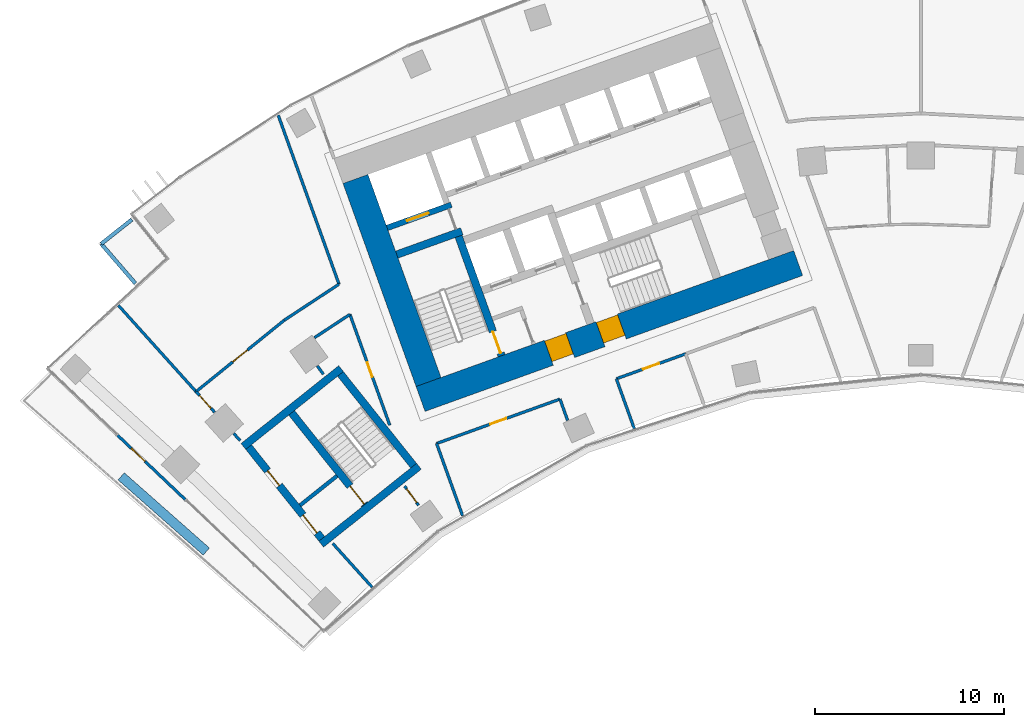
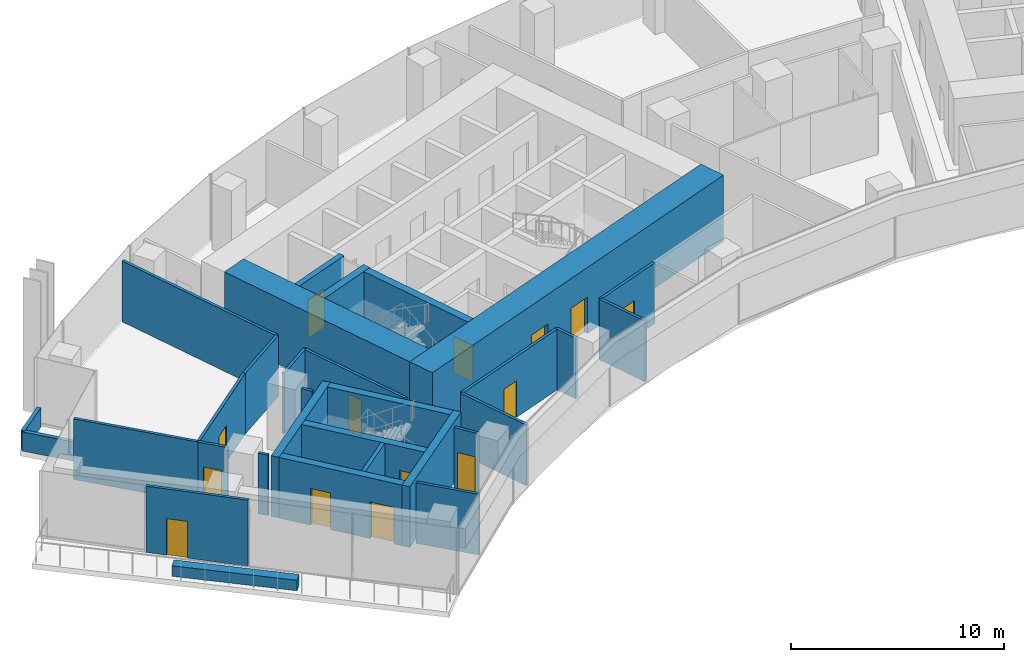
# One storey, part 13 of 20: 31 walls, 14 doors, 14 openings.
"""IFC4 building model written with IfcOpenShell, lengths in metres."""

import ifcopenshell
import ifcopenshell.guid

model = None  # the IFC model being written
_history = None  # IfcOwnerHistory: only IFC2X3 demands one
_inside = {}  # id of a spatial element -> (the spatial element, [elements in it])
_under = {}  # id of a project, library or spatial element -> (it, [spatial elements below it])
_declared = {}  # id of a project -> (the project, [libraries it declares])
_typed = {}  # id of a type object -> (the type object, [elements of that type])
_made_of = {}  # id of a material, layer set ... -> (it, [elements and type objects made of it])


def new_model(schema):
    """Start an empty IFC model of exactly this schema.

    Asked for "IFC4X3", IfcOpenShell would pick the latest addendum, in which some entities
    have other attributes; the version numbers below select the first issue.
    IFC2X3 requires an IfcOwnerHistory on every rooted entity: one is made here for all.
    """
    global model, _history
    if schema == "IFC4X3":
        model = ifcopenshell.file(schema_version=(4, 3, 0, 0))
    else:
        model = ifcopenshell.file(schema=schema)
    _inside.clear()
    _under.clear()
    _declared.clear()
    _typed.clear()
    _made_of.clear()
    _history = None
    if model.schema == "IFC2X3":
        org = make("IfcOrganization", Name="unknown")
        user = make(
            "IfcPersonAndOrganization",
            ThePerson=make("IfcPerson", FamilyName="unknown"),
            TheOrganization=org,
        )
        app = make(
            "IfcApplication",
            ApplicationDeveloper=org,
            Version="unknown",
            ApplicationFullName="unknown",
            ApplicationIdentifier="unknown",
        )
        _history = make(
            "IfcOwnerHistory",
            OwningUser=user,
            OwningApplication=app,
            ChangeAction="ADDED",
            CreationDate=0,
        )
    return model


def make(cls, **values):
    """One entity of the class cls with the attributes given. An attribute that is None is left unset."""
    return model.create_entity(
        cls, **{name: value for name, value in values.items() if value is not None}
    )


def rooted(cls, **values):
    """An entity with a GlobalId (a new one), such as an element, a storey or a relation."""
    return make(cls, GlobalId=ifcopenshell.guid.new(), OwnerHistory=_history, **values)


def si_unit(unit_type, name, prefix=None):
    """IfcSIUnit, for example si_unit("LENGTHUNIT", "METRE", prefix="MILLI")."""
    return make("IfcSIUnit", UnitType=unit_type, Prefix=prefix, Name=name)


def assignment(units):
    """IfcUnitAssignment: the units of a project."""
    return None if units is None else make("IfcUnitAssignment", Units=units)


def point(xyz):
    """IfcCartesianPoint."""
    return None if xyz is None else make("IfcCartesianPoint", Coordinates=xyz)


def direction(xyz):
    """IfcDirection."""
    return None if xyz is None else make("IfcDirection", DirectionRatios=xyz)


def frame(location, z_axis=None, x_axis=None):
    """IfcAxis2Placement3D, a coordinate frame: its origin and axes. An axis left out is left unset."""
    return make(
        "IfcAxis2Placement3D",
        Location=point(location),
        Axis=direction(z_axis),
        RefDirection=direction(x_axis),
    )


def frame_2d(location, x_axis=None):
    """IfcAxis2Placement2D, a coordinate frame in the plane: its origin and x axis."""
    return make(
        "IfcAxis2Placement2D", Location=point(location), RefDirection=direction(x_axis)
    )


def origin():
    """The frame at (0, 0, 0) with its axes left unset."""
    return frame((0.0, 0.0, 0.0))


def origin_2d():
    """The frame at (0, 0) in the plane with its x axis left unset."""
    return frame_2d((0.0, 0.0))


def place(relative_to, where):
    """IfcLocalPlacement: puts the frame where relative to a parent placement (None: the world)."""
    return make(
        "IfcLocalPlacement", PlacementRelTo=relative_to, RelativePlacement=where
    )


def context(
    kind, dimensions, precision=None, world=None, true_north=None, identifier=None
):
    """IfcGeometricRepresentationContext, for example the 3D "Model" context."""
    return make(
        "IfcGeometricRepresentationContext",
        ContextIdentifier=identifier,
        ContextType=kind,
        CoordinateSpaceDimension=dimensions,
        Precision=precision,
        WorldCoordinateSystem=world,
        TrueNorth=true_north,
    )


def subcontext(parent, identifier, kind, view, scale=None):
    """IfcGeometricRepresentationSubContext, for example "Body" below "Model"."""
    return make(
        "IfcGeometricRepresentationSubContext",
        ContextIdentifier=identifier,
        ContextType=kind,
        ParentContext=parent,
        TargetScale=scale,
        TargetView=view,
    )


def project(units=None, contexts=None):
    """IfcProject with its units and contexts."""
    return rooted(
        "IfcProject",
        Name="project",
        RepresentationContexts=contexts,
        UnitsInContext=assignment(units),
    )


def spatial(cls, under=None, at=None, **own):
    """A site, building, storey or space (cls), placed at a placement, below another one or the project."""
    s = rooted(cls, ObjectPlacement=at, **own)
    if under is not None:
        _under.setdefault(under.id(), (under, []))[1].append(s)
    return s


def profile(cls, at=None, kind="AREA", **sizes):
    """A parametric profile (cls). Its sizes go by their IFC names, for example OverallWidth=200.0."""
    return make(cls, ProfileType=kind, Position=at, **sizes)


def rectangle(**sizes):
    """IfcRectangleProfileDef."""
    return profile("IfcRectangleProfileDef", **sizes)


def extrude(swept, where, along, depth):
    """IfcExtrudedAreaSolid: the profile swept, set in the frame where, extruded along a direction by depth."""
    return make(
        "IfcExtrudedAreaSolid",
        SweptArea=swept,
        Position=where,
        ExtrudedDirection=direction(along),
        Depth=depth,
    )


def shape(context_of_items, identifier, shape_type, items):
    """IfcShapeRepresentation: the items that make up one representation, for example the "Body"."""
    return make(
        "IfcShapeRepresentation",
        ContextOfItems=context_of_items,
        RepresentationIdentifier=identifier,
        RepresentationType=shape_type,
        Items=items,
    )


def material(Name=None, Category=None):
    """IfcMaterial."""
    return make("IfcMaterial", Name=Name, Category=Category)


def layer(
    of_material, thickness, ventilated=None, Name=None, Category=None, Priority=None
):
    """IfcMaterialLayer: one layer of a wall or slab, of a material (None: an air gap)."""
    return make(
        "IfcMaterialLayer",
        Material=of_material,
        LayerThickness=thickness,
        IsVentilated=ventilated,
        Name=Name,
        Category=Category,
        Priority=Priority,
    )


def layer_set(layers, Name=None):
    """IfcMaterialLayerSet."""
    return make("IfcMaterialLayerSet", MaterialLayers=layers, LayerSetName=Name)


def made_of(thing, what):
    """Note that an element or type object is made of a material, layer set ...; save() writes the relation."""
    if what is not None:
        _made_of.setdefault(what.id(), (what, []))[1].append(thing)
    return thing


def type_object(cls, material=None, **own):
    """A type object (cls), such as IfcWallType, which elements share."""
    return made_of(rooted(cls, **own), material)


def element(
    cls,
    number,
    at=None,
    inside=None,
    cuts=None,
    type_object=None,
    material=None,
    context=None,
    identifier="Body",
    shape_type=None,
    held_by="IfcProductDefinitionShape",
    body=None,
    shapes=None,
    **own,
):
    """One element of the class cls, such as IfcWall. Its Tag is "e" and its number.

    at: its placement. inside: the storey or other place that contains it. cuts: it is an
    opening in that element (IfcRelVoidsElement). A single representation is given by context,
    identifier, shape_type and body (its items); several are given by shapes. held_by: the class
    of the entity that holds the representations. save() writes the other relations.
    """
    e = rooted(cls, Tag="e%d" % number, ObjectPlacement=at, **own)
    if body is not None:
        shapes = [shape(context, identifier, shape_type, body)]
    if shapes is not None:
        e.Representation = make(held_by, Representations=shapes)
    if inside is not None:
        _inside.setdefault(inside.id(), (inside, []))[1].append(e)
    if cuts is not None:
        rooted(
            "IfcRelVoidsElement", RelatingBuildingElement=cuts, RelatedOpeningElement=e
        )
    if type_object is not None:
        _typed.setdefault(type_object.id(), (type_object, []))[1].append(e)
    return made_of(e, material)


def fill(opening, filler):
    """IfcRelFillsElement: the door or window that sits in an opening."""
    return rooted(
        "IfcRelFillsElement",
        RelatingOpeningElement=opening,
        RelatedBuildingElement=filler,
    )


def aggregate(whole, parts):
    """IfcRelAggregates: a whole, such as a stair, and the parts it consists of."""
    return rooted("IfcRelAggregates", RelatingObject=whole, RelatedObjects=parts)


def save(model, path):
    """Write the relations noted so far, then the file.

    IfcRelAggregates (storeys below a building ...), IfcRelContainedInSpatialStructure (elements
    in a storey), IfcRelDefinesByType, IfcRelAssociatesMaterial and IfcRelDeclares: one each for
    every whole, place, type object, material and project.
    """
    for whole, parts in _under.values():
        aggregate(whole, parts)
    for where, things in _inside.values():
        rooted(
            "IfcRelContainedInSpatialStructure",
            RelatedElements=things,
            RelatingStructure=where,
        )
    for kind, things in _typed.values():
        rooted("IfcRelDefinesByType", RelatedObjects=things, RelatingType=kind)
    for what, things in _made_of.values():
        rooted("IfcRelAssociatesMaterial", RelatedObjects=things, RelatingMaterial=what)
    for by, libraries in _declared.values():
        rooted("IfcRelDeclares", RelatingContext=by, RelatedDefinitions=libraries)
    model.write(path)


model = new_model("IFC4")

# Units and contexts
model_context = context("Model", 3, precision=1e-05, world=origin(), true_north=direction((0.0, 1.0)))
body_context = subcontext(model_context, "Body", "Model", "MODEL_VIEW")
ifc_project = project(units=[si_unit("LENGTHUNIT", "METRE"), si_unit("AREAUNIT", "SQUARE_METRE"), si_unit("VOLUMEUNIT", "CUBIC_METRE"), si_unit("PLANEANGLEUNIT", "RADIAN"), si_unit("MASSUNIT", "GRAM", prefix="KILO")], contexts=[model_context])

# Site, building, storey
site_placement = place(None, origin())
site = spatial("IfcSite", under=ifc_project, at=site_placement, CompositionType="ELEMENT")
building_placement = place(site_placement, origin())
building = spatial("IfcBuilding", under=site, at=building_placement, Name="Stone Belt Terrace Tower", CompositionType="ELEMENT")
storey_placement = place(building_placement, frame((0.0, 0.0, 125.0)))
storey = spatial("IfcBuildingStorey", under=building, at=storey_placement, Name="L30", CompositionType="ELEMENT", Elevation=125.0)

# Wall, opening, door
ifc_material_1 = material(Name="Terracotta coloured glazed ceramic", Category="masonry")
ifc_layer_1 = layer(ifc_material_1, 0.14990234375)
ifc_layer_set_1 = layer_set([ifc_layer_1], Name="Ceramic rain-screen wall 150")
wall_type_1 = type_object("IfcWallType", Name="Ceramic rain-screen wall 150", PredefinedType="SOLIDWALL", material=ifc_layer_set_1)
wall_1_placement = place(storey_placement, frame((-42.437255859375, 40.22216796875, 0.0), z_axis=(0.0, 0.0, 1.0), x_axis=(0.724915521956, -0.688837779181, 0.0)))
wall_1 = element("IfcWall", 1, at=wall_1_placement, inside=storey, type_object=wall_type_1, Name="Door wall L30", PredefinedType="SOLIDWALL", context=body_context, shape_type="SweptSolid", body=[
    extrude(rectangle(XDim=4.93994140625, YDim=0.14990234375, at=frame_2d((2.469970703125, 0.0))), origin(), (0.0, 0.0, 1.0), 3.800048828125),
])
opening_1_placement = place(wall_1_placement, frame((1.0, 0.0, 0.0)))
opening_1 = element("IfcOpeningElement", 2, at=opening_1_placement, cuts=wall_1, Name="Opening L30-E01", PredefinedType="OPENING", context=body_context, shape_type="SweptSolid", body=[
    extrude(rectangle(XDim=1.0, YDim=2.10009765625, at=frame_2d((0.5, 1.050048828125))), frame((0.0, 0.0849609375, 0.0), z_axis=(0.0, -1.0, 0.0), x_axis=(1.0, 0.0, 0.0)), (0.0, 0.0, 1.0), 0.169921875),
])
ifc_material_2 = material(Name="Anodised aluminium glazed door", Category="aluminium")
door_type_1 = type_object("IfcDoorType", Name="Terrace door 1000 x 2100", OperationType="NOTDEFINED", PredefinedType="DOOR", material=ifc_material_2)
door_1_placement = place(opening_1_placement, origin())
door_1 = element("IfcDoor", 3, at=door_1_placement, inside=storey, type_object=door_type_1, Name="Terrace door L30", OperationType="SINGLE_SWING_RIGHT", OverallHeight=2.10009765625, OverallWidth=1.0, PredefinedType="DOOR", context=body_context, shape_type="SweptSolid", body=[
    extrude(rectangle(XDim=1.0, YDim=2.10009765625, at=frame_2d((0.5, 1.050048828125))), frame((0.0, 0.02490234375, 0.0), z_axis=(0.0, -1.0, 0.0), x_axis=(1.0, 0.0, 0.0)), (0.0, 0.0, 1.0), 0.050048828125),
])
fill(opening_1, door_1)

# Wall, openings, doors
ifc_material_3 = material(Name="Concrete B80", Category="concrete")
ifc_layer_2 = layer(ifc_material_3, 1.39990234375)
ifc_layer_set_2 = layer_set([ifc_layer_2], Name="Core wall 1400 B80")
wall_type_2 = type_object("IfcWallType", Name="Core wall 1400 B80", PredefinedType="SHEAR", material=ifc_layer_set_2)
wall_2_placement = place(storey_placement, frame((-26.430908203125, 42.139404296875, 0.0), z_axis=(0.0, 0.0, 1.0), x_axis=(0.940923374003, 0.33861955681, 0.0)))
wall_2 = element("IfcWall", 4, at=wall_2_placement, inside=storey, type_object=wall_type_2, Name="Core A wall concave L30", PredefinedType="SHEAR", context=body_context, shape_type="SweptSolid", body=[
    extrude(rectangle(XDim=21.199951171875, YDim=1.39990234375, at=frame_2d((10.60009765625, 0.0))), origin(), (0.0, 0.0, 1.0), 3.800048828125),
])
opening_2_placement = place(wall_2_placement, frame((7.199951171875, 0.0, 0.0)))
opening_2 = element("IfcOpeningElement", 5, at=opening_2_placement, cuts=wall_2, Name="Opening L30-C05", PredefinedType="OPENING", context=body_context, shape_type="SweptSolid", body=[
    extrude(rectangle(XDim=1.199951171875, YDim=2.10009765625, at=frame_2d((0.60009765625, 1.050048828125))), frame((0.0, 0.7099609375, 0.0), z_axis=(0.0, -1.0, 0.0), x_axis=(1.0, 0.0, 0.0)), (0.0, 0.0, 1.0), 1.419921875),
])
opening_3_placement = place(wall_2_placement, frame((10.099853515625, 0.0, 0.0)))
opening_3 = element("IfcOpeningElement", 6, at=opening_3_placement, cuts=wall_2, Name="Opening L30-C07", PredefinedType="OPENING", context=body_context, shape_type="SweptSolid", body=[
    extrude(rectangle(XDim=1.199951171875, YDim=2.10009765625, at=frame_2d((0.60009765625, 1.050048828125))), frame((0.0, 0.7099609375, 0.0), z_axis=(0.0, -1.0, 0.0), x_axis=(1.0, 0.0, 0.0)), (0.0, 0.0, 1.0), 1.419921875),
])
ifc_material_4 = material(Name="Steel door leaf", Category="steel")
door_type_2 = type_object("IfcDoorType", Name="Fire-fighting lobby door 1200", OperationType="SINGLE_SWING_LEFT", PredefinedType="DOOR", material=ifc_material_4)
door_2_placement = place(opening_2_placement, origin())
door_2 = element("IfcDoor", 7, at=door_2_placement, inside=storey, type_object=door_type_2, Name="Fire-fighting lobby door core A", OperationType="SINGLE_SWING_RIGHT", OverallHeight=2.10009765625, OverallWidth=1.199951171875, PredefinedType="DOOR", context=body_context, shape_type="SweptSolid", body=[
    extrude(rectangle(XDim=1.199951171875, YDim=2.10009765625, at=frame_2d((0.60009765625, 1.050048828125))), frame((0.0, 0.655029296875, 0.0), z_axis=(0.0, -1.0, 0.0), x_axis=(1.0, 0.0, 0.0)), (0.0, 0.0, 1.0), 1.14990234375),
])
fill(opening_2, door_2)
door_type_3 = type_object("IfcDoorType", Name="Stair door 1200", OperationType="SINGLE_SWING_LEFT", PredefinedType="DOOR", material=ifc_material_4)
door_3_placement = place(opening_3_placement, origin())
door_3 = element("IfcDoor", 8, at=door_3_placement, inside=storey, type_object=door_type_3, Name="Stair 2 exit door core A", OperationType="SINGLE_SWING_LEFT", OverallHeight=2.10009765625, OverallWidth=1.199951171875, PredefinedType="DOOR", context=body_context, shape_type="SweptSolid", body=[
    extrude(rectangle(XDim=1.199951171875, YDim=2.10009765625, at=frame_2d((0.60009765625, 1.050048828125))), frame((0.0, 0.655029296875, 0.0), z_axis=(0.0, -1.0, 0.0), x_axis=(1.0, 0.0, 0.0)), (0.0, 0.0, 1.0), 1.14990234375),
])
fill(opening_3, door_3)

# Wall
wall_3_placement = place(storey_placement, frame((-26.00927734375, 43.03515625, 0.0), z_axis=(0.0, 0.0, 1.0), x_axis=(-0.338625431531, 0.940921259788, 0.0)))
element("IfcWall", 9, at=wall_3_placement, inside=storey, type_object=wall_type_2, Name="Core A wall end_a L30", PredefinedType="SHEAR", context=body_context, shape_type="SweptSolid", body=[
    extrude(rectangle(XDim=11.400146484375, YDim=1.39990234375, at=frame_2d((5.7001953125, 0.0))), origin(), (0.0, 0.0, 1.0), 3.800048828125),
])

# Wall, opening, door
ifc_layer_3 = layer(ifc_material_3, 0.300048828125)
ifc_layer_set_3 = layer_set([ifc_layer_3], Name="Lift shaft wall 300")
wall_type_3 = type_object("IfcWallType", Name="Lift shaft wall 300", PredefinedType="SHEAR", material=ifc_layer_set_3)
wall_4_placement = place(storey_placement, frame((-28.195068359375, 51.17578125, 0.0), z_axis=(0.0, 0.0, 1.0), x_axis=(0.940901243567, 0.338681044427, 0.0)))
wall_4 = element("IfcWall", 10, at=wall_4_placement, inside=storey, type_object=wall_type_3, Name="Core A wall", PredefinedType="SHEAR", context=body_context, shape_type="SweptSolid", body=[
    extrude(rectangle(XDim=3.599853515625, YDim=0.300048828125, at=frame_2d((1.7998046875, 0.0))), origin(), (0.0, 0.0, 1.0), 3.47998046875),
])
opening_4_placement = place(wall_4_placement, frame((1.1201171875, 0.0, 0.0)))
opening_4 = element("IfcOpeningElement", 11, at=opening_4_placement, cuts=wall_4, Name="Opening L30-LD09", PredefinedType="OPENING", context=body_context, shape_type="SweptSolid", body=[
    extrude(rectangle(XDim=1.199951171875, YDim=2.199951171875, at=frame_2d((0.60009765625, 1.10009765625))), frame((0.0, 0.159912109375, 0.0), z_axis=(0.0, -1.0, 0.0), x_axis=(1.0, 0.0, 0.0)), (0.0, 0.0, 1.0), 0.320068359375),
])
ifc_material_5 = material(Name="Stainless steel door leaf", Category="steel")
door_type_4 = type_object("IfcDoorType", Name="Landing door 1200", OperationType="SLIDING_TO_LEFT", PredefinedType="DOOR", material=ifc_material_5)
door_4_placement = place(opening_4_placement, origin())
door_4 = element("IfcDoor", 12, at=door_4_placement, inside=storey, type_object=door_type_4, Name="Landing door SV1 core A", OperationType="SLIDING_TO_LEFT", OverallHeight=2.199951171875, OverallWidth=1.199951171875, PredefinedType="DOOR", context=body_context, shape_type="SweptSolid", body=[
    extrude(rectangle(XDim=1.199951171875, YDim=2.199951171875, at=frame_2d((0.60009765625, 1.10009765625))), frame((0.0, 0.02490234375, 0.0), z_axis=(0.0, -1.0, 0.0), x_axis=(1.0, 0.0, 0.0)), (0.0, 0.0, 1.0), 0.050048828125),
])
fill(opening_4, door_4)

# Wall
ifc_material_6 = material(Name="Gypsum board partition")
ifc_layer_4 = layer(ifc_material_6, 0.14990234375)
ifc_layer_set_4 = layer_set([ifc_layer_4], Name="PARTITION 150 EI 60")
wall_type_4 = type_object("IfcWallType", Name="PARTITION 150 EI 60", PredefinedType="PARTITIONING", material=ifc_layer_set_4)
wall_5_placement = place(storey_placement, frame((-25.5859375, 39.79296875, 0.0), z_axis=(0.0, 0.0, 1.0), x_axis=(0.338542603355, -0.940951064463, 0.0)))
element("IfcWall", 13, at=wall_5_placement, inside=storey, type_object=wall_type_4, Name="L30/wall/i001", PredefinedType="PARTITIONING", context=body_context, shape_type="SweptSolid", body=[
    extrude(rectangle(XDim=4.05712890625, YDim=0.14990234375, at=frame_2d((2.028564453125, 0.0))), origin(), (0.0, 0.0, 1.0), 3.47998046875),
])

# Wall, opening, door
wall_6_placement = place(storey_placement, frame((-28.05810546875, 40.75390625, 0.0), z_axis=(0.0, 0.0, 1.0), x_axis=(-0.338523697563, 0.94095786632, 0.0)))
wall_6 = element("IfcWall", 14, at=wall_6_placement, inside=storey, type_object=wall_type_4, Name="L30/wall/i003", PredefinedType="PARTITIONING", context=body_context, shape_type="SweptSolid", body=[
    extrude(rectangle(XDim=6.226806640625, YDim=0.14990234375, at=frame_2d((3.11328125, 0.0))), origin(), (0.0, 0.0, 1.0), 3.47998046875),
])
opening_5_placement = place(wall_6_placement, frame((2.71337890625, 0.0, 0.0)))
opening_5 = element("IfcOpeningElement", 15, at=opening_5_placement, cuts=wall_6, Name="Opening D-B5-13", PredefinedType="OPENING", context=body_context, shape_type="SweptSolid", body=[
    extrude(rectangle(XDim=0.800048828125, YDim=2.10009765625, at=frame_2d((0.39990234375, 1.050048828125))), frame((0.0, 0.0849609375, 0.0), z_axis=(0.0, -1.0, 0.0), x_axis=(1.0, 0.0, 0.0)), (0.0, 0.0, 1.0), 0.169921875),
])
ifc_material_7 = material(Name="Timber door leaf", Category="wood")
door_type_5 = type_object("IfcDoorType", Name="STORE DOOR 800 X 2100", OperationType="NOTDEFINED", PredefinedType="DOOR", material=ifc_material_7)
door_5_placement = place(opening_5_placement, origin())
door_5 = element("IfcDoor", 16, at=door_5_placement, inside=storey, type_object=door_type_5, Name="L30/door/i13", OperationType="SINGLE_SWING_RIGHT", OverallHeight=2.10009765625, OverallWidth=0.800048828125, PredefinedType="DOOR", context=body_context, shape_type="SweptSolid", body=[
    extrude(rectangle(XDim=0.800048828125, YDim=2.10009765625, at=frame_2d((0.39990234375, 1.050048828125))), frame((0.0, 0.02490234375, 0.0), z_axis=(0.0, -1.0, 0.0), x_axis=(1.0, 0.0, 0.0)), (0.0, 0.0, 1.0), 0.050048828125),
])
fill(opening_5, door_5)

wall_7_placement = place(storey_placement, frame((-26.534912109375, 36.52294921875, 0.0), z_axis=(0.0, 0.0, 1.0), x_axis=(-0.58822969918, 0.80869389821, 0.0)))
wall_7 = element("IfcWall", 17, at=wall_7_placement, inside=storey, type_object=wall_type_4, Name="L30/wall/i004", PredefinedType="PARTITIONING", context=body_context, shape_type="SweptSolid", body=[
    extrude(rectangle(XDim=1.25146484375, YDim=0.14990234375, at=frame_2d((0.625732421875, 0.0))), origin(), (0.0, 0.0, 1.0), 3.47998046875),
])
opening_6_placement = place(wall_7_placement, frame((0.17578125, 0.0, 0.0)))
opening_6 = element("IfcOpeningElement", 18, at=opening_6_placement, cuts=wall_7, Name="Opening D-B5-14", PredefinedType="OPENING", context=body_context, shape_type="SweptSolid", body=[
    extrude(rectangle(XDim=0.89990234375, YDim=2.10009765625, at=frame_2d((0.449951171875, 1.050048828125))), frame((0.0, 0.0849609375, 0.0), z_axis=(0.0, -1.0, 0.0), x_axis=(1.0, 0.0, 0.0)), (0.0, 0.0, 1.0), 0.169921875),
])
ifc_material_8 = material(Name="Timber fire door leaf", Category="wood")
door_type_6 = type_object("IfcDoorType", Name="TENANCY ENTRANCE DOOR 900 X 2100", OperationType="NOTDEFINED", PredefinedType="DOOR", material=ifc_material_8)
door_6_placement = place(opening_6_placement, origin())
door_6 = element("IfcDoor", 19, at=door_6_placement, inside=storey, type_object=door_type_6, Name="L30/door/i14", OperationType="SINGLE_SWING_RIGHT", OverallHeight=2.10009765625, OverallWidth=0.89990234375, PredefinedType="DOOR", context=body_context, shape_type="SweptSolid", body=[
    extrude(rectangle(XDim=0.89990234375, YDim=2.10009765625, at=frame_2d((0.449951171875, 1.050048828125))), frame((0.0, 0.02490234375, 0.0), z_axis=(0.0, -1.0, 0.0), x_axis=(1.0, 0.0, 0.0)), (0.0, 0.0, 1.0), 0.050048828125),
])
fill(opening_6, door_6)

# Walls
wall_8_placement = place(storey_placement, frame((-30.737060546875, 48.197021484375, 0.0), z_axis=(0.0, 0.0, 1.0), x_axis=(-0.338586530295, 0.940935258933, 0.0)))
element("IfcWall", 20, at=wall_8_placement, inside=storey, type_object=wall_type_4, Name="L30/wall/i005", PredefinedType="PARTITIONING", context=body_context, shape_type="SweptSolid", body=[
    extrude(rectangle(XDim=9.494873046875, YDim=0.14990234375, at=frame_2d((4.74755859375, 0.0))), origin(), (0.0, 0.0, 1.0), 3.47998046875),
])
wall_9_placement = place(storey_placement, frame((-18.6611328125, 41.0048828125, 0.0), z_axis=(0.0, 0.0, 1.0), x_axis=(-0.338560385622, 0.940944666432, 0.0)))
element("IfcWall", 21, at=wall_9_placement, inside=storey, type_object=wall_type_4, Name="L30/wall/i011", PredefinedType="PARTITIONING", context=body_context, shape_type="SweptSolid", body=[
    extrude(rectangle(XDim=1.195556640625, YDim=0.14990234375, at=frame_2d((0.59765625, 0.0))), origin(), (0.0, 0.0, 1.0), 3.47998046875),
])

# Wall, opening, door
wall_10_placement = place(storey_placement, frame((-19.069091796875, 42.131103515625, 0.0), z_axis=(0.0, 0.0, 1.0), x_axis=(-0.940934157929, -0.338589589981, 0.0)))
wall_10 = element("IfcWall", 22, at=wall_10_placement, inside=storey, type_object=wall_type_4, Name="L30/wall/i012", PredefinedType="PARTITIONING", context=body_context, shape_type="SweptSolid", body=[
    extrude(rectangle(XDim=6.9228515625, YDim=0.14990234375, at=frame_2d((3.46142578125, 0.0))), origin(), (0.0, 0.0, 1.0), 3.47998046875),
])
opening_7_placement = place(wall_10_placement, frame((3.011474609375, 0.0, 0.0)))
opening_7 = element("IfcOpeningElement", 23, at=opening_7_placement, cuts=wall_10, Name="Opening D-B5-01", PredefinedType="OPENING", context=body_context, shape_type="SweptSolid", body=[
    extrude(rectangle(XDim=0.89990234375, YDim=2.10009765625, at=frame_2d((0.449951171875, 1.050048828125))), frame((0.0, 0.0849609375, 0.0), z_axis=(0.0, -1.0, 0.0), x_axis=(1.0, 0.0, 0.0)), (0.0, 0.0, 1.0), 0.169921875),
])
door_type_7 = type_object("IfcDoorType", Name="OFFICE DOOR 900 X 2100", OperationType="NOTDEFINED", PredefinedType="DOOR", material=ifc_material_7)
door_7_placement = place(opening_7_placement, origin())
door_7 = element("IfcDoor", 24, at=door_7_placement, inside=storey, type_object=door_type_7, Name="L30/door/i01", OperationType="SINGLE_SWING_RIGHT", OverallHeight=2.10009765625, OverallWidth=0.89990234375, PredefinedType="DOOR", context=body_context, shape_type="SweptSolid", body=[
    extrude(rectangle(XDim=0.89990234375, YDim=2.10009765625, at=frame_2d((0.449951171875, 1.050048828125))), frame((0.0, 0.02490234375, 0.0), z_axis=(0.0, -1.0, 0.0), x_axis=(1.0, 0.0, 0.0)), (0.0, 0.0, 1.0), 0.050048828125),
])
fill(opening_7, door_7)

wall_11_placement = place(storey_placement, frame((-12.4208984375, 44.52392578125, 0.0), z_axis=(0.0, 0.0, 1.0), x_axis=(-0.940962479026, -0.338510875846, 0.0)))
wall_11 = element("IfcWall", 25, at=wall_11_placement, inside=storey, type_object=wall_type_4, Name="L30/wall/i013", PredefinedType="PARTITIONING", context=body_context, shape_type="SweptSolid", body=[
    extrude(rectangle(XDim=3.89599609375, YDim=0.14990234375, at=frame_2d((1.947998046875, 0.0))), origin(), (0.0, 0.0, 1.0), 3.47998046875),
])
opening_8_placement = place(wall_11_placement, frame((1.498046875, 0.0, 0.0)))
opening_8 = element("IfcOpeningElement", 26, at=opening_8_placement, cuts=wall_11, Name="Opening D-B5-02", PredefinedType="OPENING", context=body_context, shape_type="SweptSolid", body=[
    extrude(rectangle(XDim=0.89990234375, YDim=2.10009765625, at=frame_2d((0.449951171875, 1.050048828125))), frame((0.0, 0.0849609375, 0.0), z_axis=(0.0, -1.0, 0.0), x_axis=(1.0, 0.0, 0.0)), (0.0, 0.0, 1.0), 0.169921875),
])
door_8_placement = place(opening_8_placement, origin())
door_8 = element("IfcDoor", 27, at=door_8_placement, inside=storey, type_object=door_type_7, Name="L30/door/i02", OperationType="SINGLE_SWING_RIGHT", OverallHeight=2.10009765625, OverallWidth=0.89990234375, PredefinedType="DOOR", context=body_context, shape_type="SweptSolid", body=[
    extrude(rectangle(XDim=0.89990234375, YDim=2.10009765625, at=frame_2d((0.449951171875, 1.050048828125))), frame((0.0, 0.02490234375, 0.0), z_axis=(0.0, -1.0, 0.0), x_axis=(1.0, 0.0, 0.0)), (0.0, 0.0, 1.0), 0.050048828125),
])
fill(opening_8, door_8)

# Wall
wall_12_placement = place(storey_placement, frame((-16.087890625, 43.201904296875, 0.0), z_axis=(0.0, 0.0, 1.0), x_axis=(0.338645330033, -0.940914098336, 0.0)))
element("IfcWall", 28, at=wall_12_placement, inside=storey, type_object=wall_type_4, Name="L30/wall/i014", PredefinedType="PARTITIONING", context=body_context, shape_type="SweptSolid", body=[
    extrude(rectangle(XDim=2.798583984375, YDim=0.14990234375, at=frame_2d((1.3994140625, 0.0))), origin(), (0.0, 0.0, 1.0), 3.47998046875),
])

# Wall, opening, door
wall_13_placement = place(storey_placement, frame((-37.3076171875, 41.433837890625, 0.0), z_axis=(0.0, 0.0, 1.0), x_axis=(-0.669238977833, 0.743047233054, 0.0)))
wall_13 = element("IfcWall", 29, at=wall_13_placement, inside=storey, type_object=wall_type_4, Name="L30/wall/i036", PredefinedType="PARTITIONING", context=body_context, shape_type="SweptSolid", body=[
    extrude(rectangle(XDim=1.475341796875, YDim=0.14990234375, at=frame_2d((0.73779296875, 0.0))), origin(), (0.0, 0.0, 1.0), 3.47998046875),
])
opening_9_placement = place(wall_13_placement, frame((0.28759765625, 0.0, 0.0)))
opening_9 = element("IfcOpeningElement", 30, at=opening_9_placement, cuts=wall_13, Name="Opening D-B5-12", PredefinedType="OPENING", context=body_context, shape_type="SweptSolid", body=[
    extrude(rectangle(XDim=0.89990234375, YDim=2.10009765625, at=frame_2d((0.449951171875, 1.050048828125))), frame((0.0, 0.0849609375, 0.0), z_axis=(0.0, -1.0, 0.0), x_axis=(1.0, 0.0, 0.0)), (0.0, 0.0, 1.0), 0.169921875),
])
door_9_placement = place(opening_9_placement, origin())
door_9 = element("IfcDoor", 31, at=door_9_placement, inside=storey, type_object=door_type_6, Name="L30/door/i12", OperationType="SINGLE_SWING_RIGHT", OverallHeight=2.10009765625, OverallWidth=0.89990234375, PredefinedType="DOOR", context=body_context, shape_type="SweptSolid", body=[
    extrude(rectangle(XDim=0.89990234375, YDim=2.10009765625, at=frame_2d((0.449951171875, 1.050048828125))), frame((0.0, 0.02490234375, 0.0), z_axis=(0.0, -1.0, 0.0), x_axis=(1.0, 0.0, 0.0)), (0.0, 0.0, 1.0), 0.050048828125),
])
fill(opening_9, door_9)

# Walls
wall_14_placement = place(storey_placement, frame((-36.297119140625, 40.311767578125, 0.0), z_axis=(0.0, 0.0, 1.0), x_axis=(0.669100229536, -0.743172175768, 0.0)))
element("IfcWall", 32, at=wall_14_placement, inside=storey, type_object=wall_type_4, Name="L30/wall/i037", PredefinedType="PARTITIONING", context=body_context, shape_type="SweptSolid", body=[
    extrude(rectangle(XDim=0.497802734375, YDim=0.14990234375, at=frame_2d((0.2490234375, 0.0))), origin(), (0.0, 0.0, 1.0), 3.47998046875),
])
wall_15_placement = place(storey_placement, frame((-31.071044921875, 34.507080078125, 0.0), z_axis=(0.0, 0.0, 1.0), x_axis=(0.669060096377, -0.743208306894, 0.0)))
element("IfcWall", 33, at=wall_15_placement, inside=storey, type_object=wall_type_4, Name="L30/wall/i038", PredefinedType="PARTITIONING", context=body_context, shape_type="SweptSolid", body=[
    extrude(rectangle(XDim=3.111572265625, YDim=0.14990234375, at=frame_2d((1.5556640625, 0.0))), origin(), (0.0, 0.0, 1.0), 3.47998046875),
])
wall_16_placement = place(storey_placement, frame((-42.39501953125, 47.084228515625, 0.0), z_axis=(0.0, 0.0, 1.0), x_axis=(0.669054797939, -0.743213076684, 0.0)))
element("IfcWall", 34, at=wall_16_placement, inside=storey, type_object=wall_type_4, Name="L30/wall/i039", PredefinedType="PARTITIONING", context=body_context, shape_type="SweptSolid", body=[
    extrude(rectangle(XDim=6.139892578125, YDim=0.14990234375, at=frame_2d((3.06982421875, 0.0))), origin(), (0.0, 0.0, 1.0), 3.47998046875),
])
wall_17_placement = place(storey_placement, frame((-30.1650390625, 46.60595703125, 0.0), z_axis=(0.0, 0.0, 1.0), x_axis=(-0.835442130402, -0.549578426386, 0.0)))
element("IfcWall", 35, at=wall_17_placement, inside=storey, type_object=wall_type_4, Name="L30/wall/i040", PredefinedType="PARTITIONING", context=body_context, shape_type="SweptSolid", body=[
    extrude(rectangle(XDim=2.237548828125, YDim=0.14990234375, at=frame_2d((1.11865234375, 0.0))), origin(), (0.0, 0.0, 1.0), 3.47998046875),
])
wall_18_placement = place(storey_placement, frame((-31.88427734375, 43.88525390625, 0.0), z_axis=(0.0, 0.0, 1.0), x_axis=(0.588064762831, -0.808813844291, 0.0)))
element("IfcWall", 36, at=wall_18_placement, inside=storey, type_object=wall_type_4, Name="L30/wall/i041", PredefinedType="PARTITIONING", context=body_context, shape_type="SweptSolid", body=[
    extrude(rectangle(XDim=0.54296875, YDim=0.14990234375, at=frame_2d((0.271484375, 0.0))), origin(), (0.0, 0.0, 1.0), 3.47998046875),
])

# Wall, opening, door
wall_19_placement = place(storey_placement, frame((-38.2900390625, 42.527099609375, 0.0), z_axis=(0.0, 0.0, 1.0), x_axis=(0.77714422733, 0.629322532513, 0.0)))
wall_19 = element("IfcWall", 37, at=wall_19_placement, inside=storey, type_object=wall_type_4, Name="L30/wall/i042", PredefinedType="PARTITIONING", context=body_context, shape_type="SweptSolid", body=[
    extrude(rectangle(XDim=5.98876953125, YDim=0.14990234375, at=frame_2d((2.994384765625, 0.0))), origin(), (0.0, 0.0, 1.0), 3.47998046875),
])
opening_10_placement = place(wall_19_placement, frame((2.494384765625, 0.0, 0.0)))
opening_10 = element("IfcOpeningElement", 38, at=opening_10_placement, cuts=wall_19, Name="Opening D-B5-15", PredefinedType="OPENING", context=body_context, shape_type="SweptSolid", body=[
    extrude(rectangle(XDim=1.0, YDim=2.10009765625, at=frame_2d((0.5, 1.050048828125))), frame((0.0, 0.0849609375, 0.0), z_axis=(0.0, -1.0, 0.0), x_axis=(1.0, 0.0, 0.0)), (0.0, 0.0, 1.0), 0.169921875),
])
door_type_8 = type_object("IfcDoorType", Name="TENANCY ENTRANCE DOOR 1000 X 2100", OperationType="NOTDEFINED", PredefinedType="DOOR", material=ifc_material_8)
door_10_placement = place(opening_10_placement, origin())
door_10 = element("IfcDoor", 39, at=door_10_placement, inside=storey, type_object=door_type_8, Name="L30/door/i15", OperationType="SINGLE_SWING_RIGHT", OverallHeight=2.10009765625, OverallWidth=1.0, PredefinedType="DOOR", context=body_context, shape_type="SweptSolid", body=[
    extrude(rectangle(XDim=1.0, YDim=2.10009765625, at=frame_2d((0.5, 1.050048828125))), frame((0.0, 0.02490234375, 0.0), z_axis=(0.0, -1.0, 0.0), x_axis=(1.0, 0.0, 0.0)), (0.0, 0.0, 1.0), 0.050048828125),
])
fill(opening_10, door_10)

# Walls
wall_20_placement = place(storey_placement, frame((-33.635986328125, 46.2958984375, 0.0), z_axis=(0.0, 0.0, 1.0), x_axis=(0.835274160171, 0.549833681535, 0.0)))
element("IfcWall", 40, at=wall_20_placement, inside=storey, type_object=wall_type_4, Name="L30/wall/i043", PredefinedType="PARTITIONING", context=body_context, shape_type="SweptSolid", body=[
    extrude(rectangle(XDim=3.46826171875, YDim=0.14990234375, at=frame_2d((1.734130859375, 0.0))), origin(), (0.0, 0.0, 1.0), 3.47998046875),
])
ifc_material_9 = material(Name="Precast concrete C40/50", Category="concrete")
ifc_layer_5 = layer(ifc_material_9, 0.5)
ifc_layer_set_5 = layer_set([ifc_layer_5], Name="Planter box 500 x 600")
wall_type_5 = type_object("IfcWallType", Name="Planter box 500 x 600", PredefinedType="SOLIDWALL", material=ifc_layer_set_5)
wall_21_placement = place(storey_placement, frame((-39.997314453125, 36.064208984375, 0.0), z_axis=(0.0, 0.0, 1.0), x_axis=(0.749477659318, -0.662029635427, 0.0)))
element("IfcWall", 41, at=wall_21_placement, inside=storey, type_object=wall_type_5, Name="PLANTER L30 1", PredefinedType="SOLIDWALL", context=body_context, shape_type="SweptSolid", body=[
    extrude(rectangle(XDim=6.0, YDim=0.5, at=origin_2d()), origin(), (0.0, 0.0, 1.0), 0.60009765625),
])
ifc_material_10 = material(Name="Concrete masonry block", Category="masonry")
ifc_layer_6 = layer(ifc_material_10, 0.199951171875)
ifc_layer_set_6 = layer_set([ifc_layer_6], Name="Rated lobby wall 200")
wall_type_6 = type_object("IfcWallType", Name="Rated lobby wall 200", PredefinedType="PARTITIONING", material=ifc_layer_set_6)
wall_22_placement = place(storey_placement, frame((-30.845703125, 38.074951171875, 0.0), z_axis=(0.0, 0.0, 1.0), x_axis=(-0.782115323833, -0.623133709749, 0.0)))
element("IfcWall", 42, at=wall_22_placement, inside=storey, type_object=wall_type_6, Name="Exit stair ST3A wall", PredefinedType="PARTITIONING", context=body_context, shape_type="SweptSolid", body=[
    extrude(rectangle(XDim=2.5, YDim=0.199951171875, at=frame_2d((1.25, 0.0))), origin(), (0.0, 0.0, 1.0), 3.47998046875),
])
ifc_layer_7 = layer(ifc_material_9, 0.199951171875)
ifc_layer_set_7 = layer_set([ifc_layer_7], Name="Roof parapet 200 x 1100")
wall_type_7 = type_object("IfcWallType", Name="Roof parapet 200 x 1100", PredefinedType="PARAPET", material=ifc_layer_set_7)
wall_23_placement = place(storey_placement, frame((-43.300537109375, 50.33349609375, 0.0), z_axis=(0.0, 0.0, 1.0), x_axis=(0.653303933488, -0.75709574724, 0.0)))
element("IfcWall", 43, at=wall_23_placement, inside=storey, type_object=wall_type_7, Name="PARAPET L30", PredefinedType="PARAPET", context=body_context, shape_type="SweptSolid", body=[
    extrude(rectangle(XDim=2.7568359375, YDim=0.199951171875, at=frame_2d((1.37841796875, 0.0))), origin(), (0.0, 0.0, 1.0), 1.10009765625),
])
wall_24_placement = place(storey_placement, frame((-41.682861328125, 51.615478515625, 0.0), z_axis=(0.0, 0.0, 1.0), x_axis=(-0.78373392664, -0.621096717294, 0.0)))
element("IfcWall", 44, at=wall_24_placement, inside=storey, type_object=wall_type_7, Name="PARAPET L30", PredefinedType="PARAPET", context=body_context, shape_type="SweptSolid", body=[
    extrude(rectangle(XDim=2.06396484375, YDim=0.199951171875, at=frame_2d((1.031982421875, 0.0))), origin(), (0.0, 0.0, 1.0), 1.10009765625),
])
ifc_layer_8 = layer(ifc_material_3, 0.39990234375)
ifc_layer_set_8 = layer_set([ifc_layer_8], Name="Stair enclosure wall 400")
wall_type_8 = type_object("IfcWallType", Name="Stair enclosure wall 400", PredefinedType="SHEAR", material=ifc_layer_set_8)
wall_25_placement = place(storey_placement, frame((-27.687255859375, 49.764404296875, 0.0), z_axis=(0.0, 0.0, 1.0), x_axis=(0.940918954884, 0.338631835981, 0.0)))
element("IfcWall", 45, at=wall_25_placement, inside=storey, type_object=wall_type_8, Name="Core A wall", PredefinedType="SHEAR", context=body_context, shape_type="SweptSolid", body=[
    extrude(rectangle(XDim=3.650146484375, YDim=0.39990234375, at=frame_2d((1.8251953125, 0.0))), origin(), (0.0, 0.0, 1.0), 3.47998046875),
])

# Wall, opening, door
wall_26_placement = place(storey_placement, frame((-22.151611328125, 44.42333984375, 0.0), z_axis=(0.0, 0.0, 1.0), x_axis=(-0.338625272931, 0.940921316866, 0.0)))
wall_26 = element("IfcWall", 46, at=wall_26_placement, inside=storey, type_object=wall_type_8, Name="Core A wall", PredefinedType="SHEAR", context=body_context, shape_type="SweptSolid", body=[
    extrude(rectangle(XDim=6.699951171875, YDim=0.39990234375, at=frame_2d((3.35009765625, 0.0))), origin(), (0.0, 0.0, 1.0), 3.47998046875),
])
opening_11_placement = place(wall_26_placement, frame((0.14990234375, 0.0, 0.0)))
opening_11 = element("IfcOpeningElement", 47, at=opening_11_placement, cuts=wall_26, Name="Opening L30-C03", PredefinedType="OPENING", context=body_context, shape_type="SweptSolid", body=[
    extrude(rectangle(XDim=1.199951171875, YDim=2.10009765625, at=frame_2d((0.60009765625, 1.050048828125))), frame((0.0, 0.2099609375, 0.0), z_axis=(0.0, -1.0, 0.0), x_axis=(1.0, 0.0, 0.0)), (0.0, 0.0, 1.0), 0.419921875),
])
door_11_placement = place(opening_11_placement, origin())
door_11 = element("IfcDoor", 48, at=door_11_placement, inside=storey, type_object=door_type_3, Name="Stair 1 door core A", OperationType="SINGLE_SWING_RIGHT", OverallHeight=2.10009765625, OverallWidth=1.199951171875, PredefinedType="DOOR", context=body_context, shape_type="SweptSolid", body=[
    extrude(rectangle(XDim=1.199951171875, YDim=2.10009765625, at=frame_2d((0.60009765625, 1.050048828125))), frame((0.0, 0.02490234375, 0.0), z_axis=(0.0, -1.0, 0.0), x_axis=(1.0, 0.0, 0.0)), (0.0, 0.0, 1.0), 0.050048828125),
])
fill(opening_11, door_11)

# Walls
for number, where, z_axis, x_axis, name in (
    (49, (-26.518798828125, 38.58154296875, 0.0), (0.0, 0.0, 1.0), (-0.782133914161, -0.623110375711, 0.0), "Exit stair ST3A wall"),
    (50, (-30.63134765625, 43.74365234375, 0.0), (0.0, 0.0, 1.0), (-0.782133914161, -0.623110375711, 0.0), "Exit stair ST3A wall"),
):
    element("IfcWall", number, at=place(storey_placement, frame(where, z_axis=z_axis, x_axis=x_axis)), inside=storey, type_object=wall_type_8, Name=name, PredefinedType="SHEAR", context=body_context, shape_type="SweptSolid", body=[
        extrude(rectangle(XDim=6.60009765625, YDim=0.39990234375, at=frame_2d((3.300048828125, 0.0))), origin(), (0.0, 0.0, 1.0), 3.47998046875),
    ])
wall_27_placement = place(storey_placement, frame((-26.7998046875, 38.61328125, 0.0), z_axis=(0.0, 0.0, 1.0), x_axis=(-0.623118653668, 0.782127319208, 0.0)))
element("IfcWall", 51, at=wall_27_placement, inside=storey, type_object=wall_type_8, Name="Exit stair ST3A wall", PredefinedType="SHEAR", context=body_context, shape_type="SweptSolid", body=[
    extrude(rectangle(XDim=6.199951171875, YDim=0.39990234375, at=frame_2d((3.10009765625, 0.0))), origin(), (0.0, 0.0, 1.0), 3.47998046875),
])

# Wall, openings, doors
wall_28_placement = place(storey_placement, frame((-31.64892578125, 34.75, 0.0), z_axis=(0.0, 0.0, 1.0), x_axis=(-0.623118653668, 0.782127319208, 0.0)))
wall_28 = element("IfcWall", 52, at=wall_28_placement, inside=storey, type_object=wall_type_8, Name="Exit stair ST3A wall", PredefinedType="SHEAR", context=body_context, shape_type="SweptSolid", body=[
    extrude(rectangle(XDim=6.199951171875, YDim=0.39990234375, at=frame_2d((3.10009765625, 0.0))), origin(), (0.0, 0.0, 1.0), 3.47998046875),
])
opening_12_placement = place(wall_28_placement, frame((0.39990234375, 0.0, 0.0)))
opening_12 = element("IfcOpeningElement", 53, at=opening_12_placement, cuts=wall_28, Name="Opening L30-C18", PredefinedType="OPENING", context=body_context, shape_type="SweptSolid", body=[
    extrude(rectangle(XDim=1.199951171875, YDim=2.10009765625, at=frame_2d((0.60009765625, 1.050048828125))), frame((0.0, 0.2099609375, 0.0), z_axis=(0.0, -1.0, 0.0), x_axis=(1.0, 0.0, 0.0)), (0.0, 0.0, 1.0), 0.419921875),
])
opening_13_placement = place(wall_28_placement, frame((3.60009765625, 0.0, 0.0)))
opening_13 = element("IfcOpeningElement", 54, at=opening_13_placement, cuts=wall_28, Name="Opening L30-C19", PredefinedType="OPENING", context=body_context, shape_type="SweptSolid", body=[
    extrude(rectangle(XDim=1.0, YDim=2.10009765625, at=frame_2d((0.5, 1.050048828125))), frame((0.0, 0.2099609375, 0.0), z_axis=(0.0, -1.0, 0.0), x_axis=(1.0, 0.0, 0.0)), (0.0, 0.0, 1.0), 0.419921875),
])
door_type_9 = type_object("IfcDoorType", Name="Core room door 1000", OperationType="SINGLE_SWING_LEFT", PredefinedType="DOOR", material=ifc_material_7)
door_12_placement = place(opening_13_placement, origin())
door_12 = element("IfcDoor", 55, at=door_12_placement, inside=storey, type_object=door_type_9, Name="Door to stair pressurisation plant room ST3A", OperationType="SINGLE_SWING_LEFT", OverallHeight=2.10009765625, OverallWidth=1.0, PredefinedType="DOOR", context=body_context, shape_type="SweptSolid", body=[
    extrude(rectangle(XDim=1.0, YDim=2.10009765625, at=frame_2d((0.5, 1.050048828125))), frame((0.0, 0.02490234375, 0.0), z_axis=(0.0, -1.0, 0.0), x_axis=(1.0, 0.0, 0.0)), (0.0, 0.0, 1.0), 0.050048828125),
])
fill(opening_13, door_12)
door_type_10 = type_object("IfcDoorType", Name="Stair airlock door 1200", OperationType="SINGLE_SWING_LEFT", PredefinedType="DOOR", material=ifc_material_4)
door_13_placement = place(opening_12_placement, origin())
door_13 = element("IfcDoor", 56, at=door_13_placement, inside=storey, type_object=door_type_10, Name="Stair airlock door ST3A", OperationType="SINGLE_SWING_LEFT", OverallHeight=2.10009765625, OverallWidth=1.199951171875, PredefinedType="DOOR", context=body_context, shape_type="SweptSolid", body=[
    extrude(rectangle(XDim=1.199951171875, YDim=2.10009765625, at=frame_2d((0.60009765625, 1.050048828125))), frame((0.0, 0.02490234375, 0.0), z_axis=(0.0, -1.0, 0.0), x_axis=(1.0, 0.0, 0.0)), (0.0, 0.0, 1.0), 0.050048828125),
])
fill(opening_12, door_13)

# Wall, opening, door
wall_29_placement = place(storey_placement, frame((-29.380859375, 36.556884765625, 0.0), z_axis=(0.0, 0.0, 1.0), x_axis=(-0.623099462847, 0.782142608097, 0.0)))
wall_29 = element("IfcWall", 57, at=wall_29_placement, inside=storey, type_object=wall_type_8, Name="Exit stair ST3A wall", PredefinedType="SHEAR", context=body_context, shape_type="SweptSolid", body=[
    extrude(rectangle(XDim=6.2001953125, YDim=0.39990234375, at=frame_2d((3.10009765625, 0.0))), origin(), (0.0, 0.0, 1.0), 3.47998046875),
])
opening_14_placement = place(wall_29_placement, frame((0.050048828125, 0.0, 0.0)))
opening_14 = element("IfcOpeningElement", 58, at=opening_14_placement, cuts=wall_29, Name="Opening L30-C17", PredefinedType="OPENING", context=body_context, shape_type="SweptSolid", body=[
    extrude(rectangle(XDim=1.199951171875, YDim=2.10009765625, at=frame_2d((0.60009765625, 1.050048828125))), frame((0.0, 0.2099609375, 0.0), z_axis=(0.0, -1.0, 0.0), x_axis=(1.0, 0.0, 0.0)), (0.0, 0.0, 1.0), 0.419921875),
])
door_14_placement = place(opening_14_placement, origin())
door_14 = element("IfcDoor", 59, at=door_14_placement, inside=storey, type_object=door_type_3, Name="Stair door ST3A", OperationType="SINGLE_SWING_RIGHT", OverallHeight=2.10009765625, OverallWidth=1.199951171875, PredefinedType="DOOR", context=body_context, shape_type="SweptSolid", body=[
    extrude(rectangle(XDim=1.199951171875, YDim=2.10009765625, at=frame_2d((0.60009765625, 1.050048828125))), frame((0.0, 0.02490234375, 0.0), z_axis=(0.0, -1.0, 0.0), x_axis=(1.0, 0.0, 0.0)), (0.0, 0.0, 1.0), 0.050048828125),
])
fill(opening_14, door_14)

save(model, "model.ifc")
